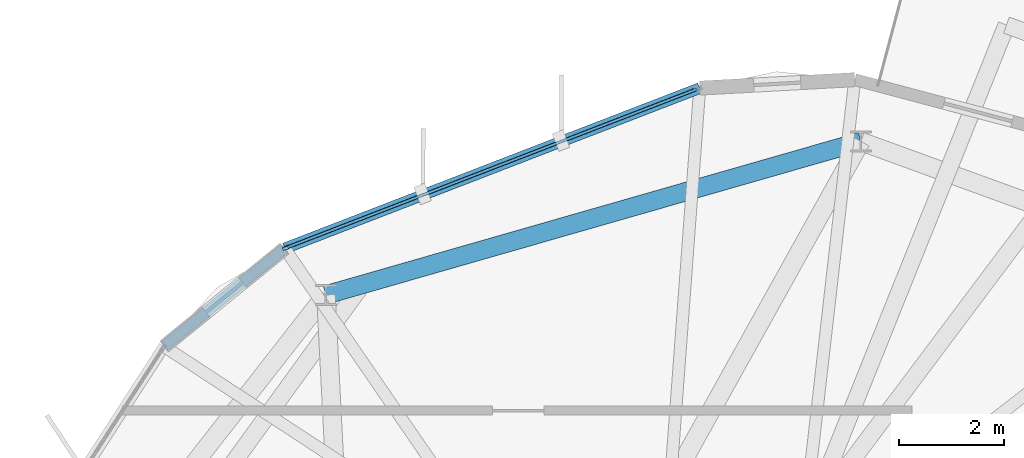
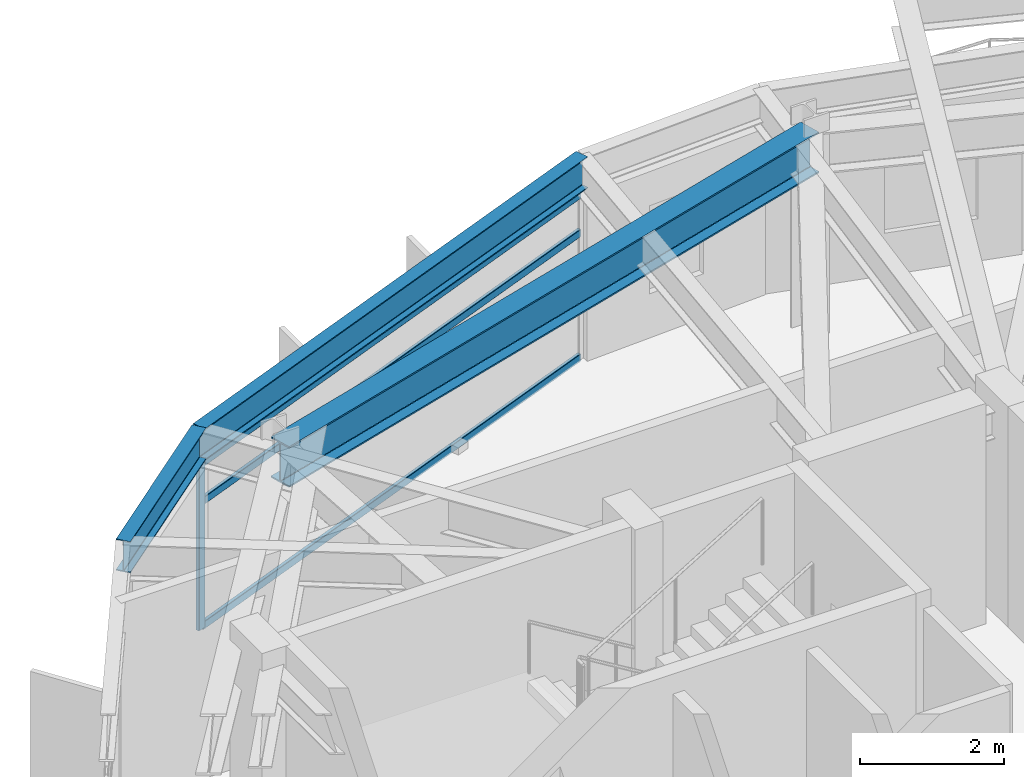
# One storey, part 17 of 26: 4 members, 3 beams, 1 element without a shape of its own.
"""IFC4 building model written with IfcOpenShell, lengths in metres."""

from ifc_helpers import new_model, si_unit, direction, frame, origin, origin_2d, place, context, subcontext, project, spatial, hollow_rectangle, i_section, extrude, material, layer, layer_set, material_profile, profile_set, type_object, element, aggregate, save


model = new_model("IFC4")

# Units and contexts
model_context = context("Model", 3, precision=1e-05, world=origin(), true_north=direction((0.0, 1.0)))
body_context = subcontext(model_context, "Body", "Model", "MODEL_VIEW")
ifc_project = project(units=[si_unit("LENGTHUNIT", "METRE"), si_unit("AREAUNIT", "SQUARE_METRE"), si_unit("VOLUMEUNIT", "CUBIC_METRE"), si_unit("PLANEANGLEUNIT", "RADIAN"), si_unit("MASSUNIT", "GRAM", prefix="KILO")], contexts=[model_context])

# Site, building, storey
site_placement = place(None, origin())
site = spatial("IfcSite", under=ifc_project, at=site_placement, CompositionType="ELEMENT")
building_placement = place(site_placement, origin())
building = spatial("IfcBuilding", under=site, at=building_placement, Name="Soratama Intermodal Tower", CompositionType="ELEMENT")
storey_placement = place(building_placement, frame((0.0, 0.0, 242.5)))
storey = spatial("IfcBuildingStorey", under=building, at=storey_placement, Name="L61", CompositionType="ELEMENT", Elevation=242.5)

# Beams
ifc_material_1 = material(Name="Structural steel ASTM A992 Grade 50", Category="steel")
ifc_material_profile_1 = material_profile(ifc_material_1, i_section(OverallWidth=0.35498046875, OverallDepth=0.695068359375, WebThickness=0.015380859375, FlangeThickness=0.02490234375, FilletRadius=0.01611328125, at=origin_2d()), Name="W27X146")
ifc_profile_set_1 = profile_set([ifc_material_profile_1], Name="Structural steel ASTM A992 Grade 50")
beam_type_1 = type_object("IfcBeamType", Name="BM-RING-W27X146", PredefinedType="BEAM", material=ifc_profile_set_1)
beam_1_placement = place(storey_placement, frame((45.60009765625, 42.18994140625, 3.1025390625), z_axis=(-0.961238292127, -0.275718961532, 0.0), x_axis=(0.275718961532, -0.961238292127, 0.0)))
element("IfcBeam", 1, at=beam_1_placement, inside=storey, type_object=beam_type_1, Name="BM-L61-RING-03", PredefinedType="BEAM", context=body_context, shape_type="SweptSolid", body=[
    extrude(i_section(OverallWidth=0.35498046875, OverallDepth=0.695068359375, WebThickness=0.015380859375, FlangeThickness=0.02490234375, FilletRadius=0.01611328125, at=origin_2d()), origin(), (0.0, 0.0, 1.0), 10.630126953125),
])
ifc_material_2 = material(Name="Structural steel ASTM A992 Grade 50", Category="steel")
ifc_material_profile_2 = material_profile(ifc_material_2, i_section(OverallWidth=0.2099609375, OverallDepth=0.537109375, WebThickness=0.010986328125, FlangeThickness=0.017333984375, FilletRadius=0.012939453125, at=origin_2d()), Name="W21X68")
ifc_profile_set_2 = profile_set([ifc_material_profile_2], Name="Structural steel ASTM A992 Grade 50")
beam_type_2 = type_object("IfcBeamType", Name="BM-SPN-W21X68", PredefinedType="SPANDREL", material=ifc_profile_set_2)
beam_2_placement = place(storey_placement, frame((42.52197265625, 43.2099609375, 3.181396484375), z_axis=(-0.932855401943, -0.360251022298, 0.0), x_axis=(0.360251022298, -0.932855401943, 0.0)))
element("IfcBeam", 2, at=beam_2_placement, inside=storey, type_object=beam_type_2, Name="BS-L61-F02", PredefinedType="SPANDREL", context=body_context, shape_type="SweptSolid", body=[
    extrude(i_section(OverallWidth=0.2099609375, OverallDepth=0.537109375, WebThickness=0.010986328125, FlangeThickness=0.017333984375, FilletRadius=0.012939453125, at=origin_2d()), origin(), (0.0, 0.0, 1.0), 8.499755859375),
])
beam_3_placement = place(storey_placement, frame((34.593017578125, 40.14794921875, 3.181396484375), z_axis=(-0.775834553233, -0.630936404093, 0.0), x_axis=(0.630936404093, -0.775834553233, 0.0)))
element("IfcBeam", 3, at=beam_3_placement, inside=storey, type_object=beam_type_2, Name="BS-L61-CRN02", PredefinedType="SPANDREL", context=body_context, shape_type="SweptSolid", body=[
    extrude(i_section(OverallWidth=0.2099609375, OverallDepth=0.537109375, WebThickness=0.010986328125, FlangeThickness=0.017333984375, FilletRadius=0.012939453125, at=origin_2d()), origin(), (0.0, 0.0, 1.0), 2.967041015625),
])

# Curtain wall, members
ifc_material_3 = material(Name="Double-glazed aluminium curtain wall", Category="aluminium")
ifc_layer = layer(ifc_material_3, 0.159912109375)
ifc_layer_set = layer_set([ifc_layer], Name="Double-glazed aluminium curtain wall")
curtain_wall_type = type_object("IfcCurtainWallType", Name="CW-SYS-5", PredefinedType="NOTDEFINED", material=ifc_layer_set)
curtain_wall_placement = place(storey_placement, origin())
curtain_wall = element("IfcCurtainWall", 4, at=curtain_wall_placement, inside=storey, type_object=curtain_wall_type, Name="L61 Faceted Curtain Wall F02", PredefinedType="NOTDEFINED")
ifc_material_4 = material(Name="Anodised aluminium AA 6063-T6", Category="aluminium")
ifc_material_profile_3 = material_profile(ifc_material_4, hollow_rectangle(XDim=0.06494140625, YDim=0.139892578125, WallThickness=0.0048828125, InnerFilletRadius=0.0048828125, OuterFilletRadius=0.010009765625, at=origin_2d()), Name="CWM140X65X5")
ifc_profile_set_3 = profile_set([ifc_material_profile_3], Name="Anodised aluminium AA 6063-T6")
member_type_1 = type_object("IfcMemberType", Name="MT-CWM-5", PredefinedType="MULLION", material=ifc_profile_set_3)
member_1_placement = place(storey_placement, frame((34.62109375, 40.158203125, 0.0), z_axis=(0.0, 0.0, 1.0), x_axis=(0.360327619849, -0.932825817811, 0.0)))
member_1 = element("IfcMember", 5, at=member_1_placement, type_object=member_type_1, Name="CW-5 mullion 2", PredefinedType="MULLION", context=body_context, shape_type="SweptSolid", body=[
    extrude(hollow_rectangle(XDim=0.06494140625, YDim=0.139892578125, WallThickness=0.0048828125, InnerFilletRadius=0.0048828125, OuterFilletRadius=0.010009765625, at=origin_2d()), origin(), (0.0, 0.0, 1.0), 2.8291015625),
])
ifc_material_5 = material(Name="Anodised aluminium AA 6063-T6", Category="aluminium")
ifc_material_profile_4 = material_profile(ifc_material_5, hollow_rectangle(XDim=0.06005859375, YDim=0.1298828125, WallThickness=0.0048828125, InnerFilletRadius=0.0048828125, OuterFilletRadius=0.010009765625, at=origin_2d()), Name="CWT130X60X5")
ifc_profile_set_4 = profile_set([ifc_material_profile_4], Name="Anodised aluminium AA 6063-T6")
member_type_2 = type_object("IfcMemberType", Name="TT-CWT-2", PredefinedType="USERDEFINED", material=ifc_profile_set_4)
member_2_placement = place(storey_placement, frame((42.4658203125, 43.1884765625, 0.030029296875), z_axis=(-0.93282951858, -0.360318039051, 0.0), x_axis=(0.360318039051, -0.93282951858, 0.0)))
member_2 = element("IfcMember", 6, at=member_2_placement, type_object=member_type_2, Name="CW-5 transom 1.1", ObjectType="TRANSOM", PredefinedType="USERDEFINED", context=body_context, shape_type="SweptSolid", body=[
    extrude(hollow_rectangle(XDim=0.06005859375, YDim=0.1298828125, WallThickness=0.0048828125, InnerFilletRadius=0.0048828125, OuterFilletRadius=0.010009765625, at=origin_2d()), origin(), (0.0, 0.0, 1.0), 8.37939453125),
])
member_3_placement = place(storey_placement, frame((42.4658203125, 43.1884765625, 2.14990234375), z_axis=(-0.93282951858, -0.360318039051, 0.0), x_axis=(0.360318039051, -0.93282951858, 0.0)))
member_3 = element("IfcMember", 7, at=member_3_placement, type_object=member_type_2, Name="CW-5 transom 1.2", ObjectType="TRANSOM", PredefinedType="USERDEFINED", context=body_context, shape_type="SweptSolid", body=[
    extrude(hollow_rectangle(XDim=0.06005859375, YDim=0.1298828125, WallThickness=0.0048828125, InnerFilletRadius=0.0048828125, OuterFilletRadius=0.010009765625, at=origin_2d()), origin(), (0.0, 0.0, 1.0), 8.37939453125),
])
member_4_placement = place(storey_placement, frame((42.4658203125, 43.1884765625, 2.799072265625), z_axis=(-0.93282951858, -0.360318039051, 0.0), x_axis=(0.360318039051, -0.93282951858, 0.0)))
member_4 = element("IfcMember", 8, at=member_4_placement, type_object=member_type_2, Name="CW-5 transom 1.3", ObjectType="TRANSOM", PredefinedType="USERDEFINED", context=body_context, shape_type="SweptSolid", body=[
    extrude(hollow_rectangle(XDim=0.06005859375, YDim=0.1298828125, WallThickness=0.0048828125, InnerFilletRadius=0.0048828125, OuterFilletRadius=0.010009765625, at=origin_2d()), origin(), (0.0, 0.0, 1.0), 8.37939453125),
])
aggregate(curtain_wall, [member_1, member_2, member_3, member_4])

save(model, "model.ifc")
